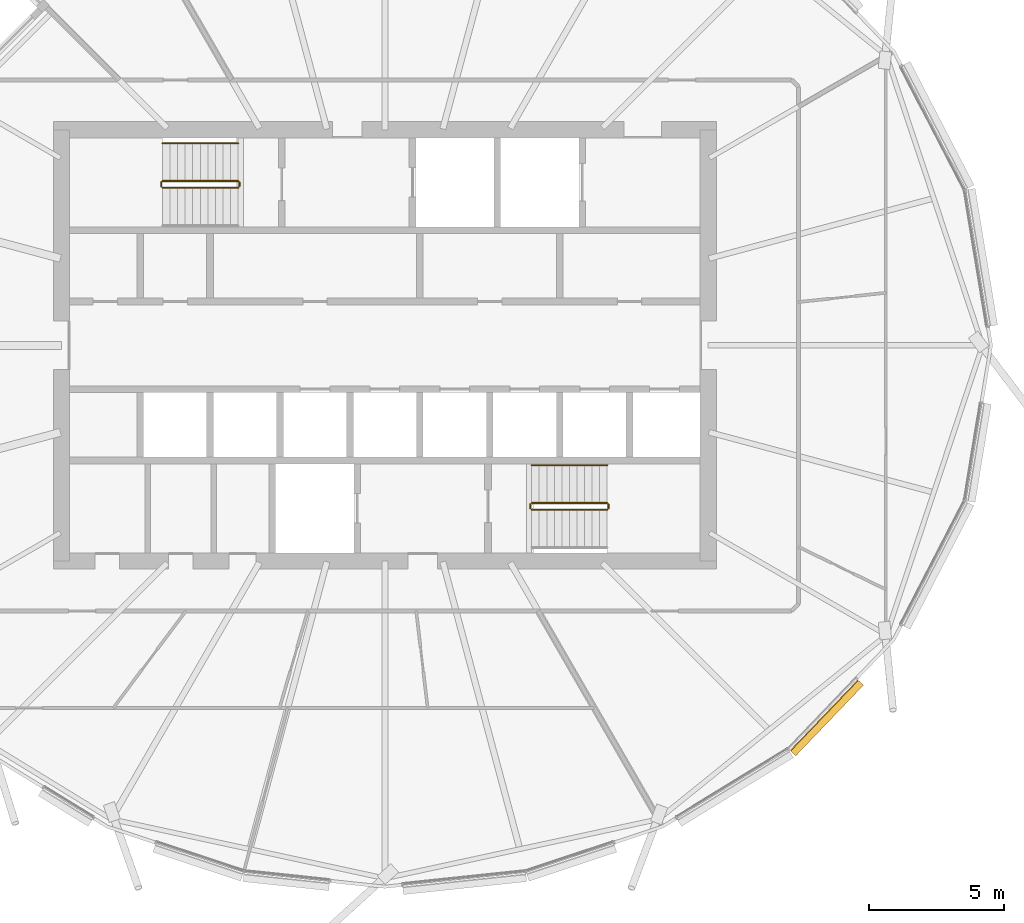
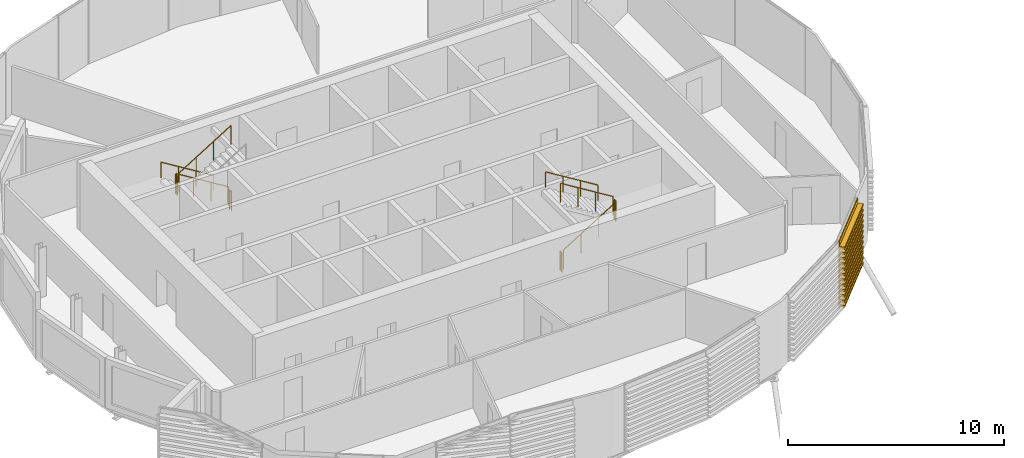
# One storey, part 33 of 37: 10 railings, 1 covering.
"""IFC4 building model written with IfcOpenShell, lengths in metres."""

import ifcopenshell
import ifcopenshell.guid

model = None  # the IFC model being written
_history = None  # IfcOwnerHistory: only IFC2X3 demands one
_inside = {}  # id of a spatial element -> (the spatial element, [elements in it])
_under = {}  # id of a project, library or spatial element -> (it, [spatial elements below it])
_declared = {}  # id of a project -> (the project, [libraries it declares])
_typed = {}  # id of a type object -> (the type object, [elements of that type])
_made_of = {}  # id of a material, layer set ... -> (it, [elements and type objects made of it])


def new_model(schema):
    """Start an empty IFC model of exactly this schema.

    Asked for "IFC4X3", IfcOpenShell would pick the latest addendum, in which some entities
    have other attributes; the version numbers below select the first issue.
    IFC2X3 requires an IfcOwnerHistory on every rooted entity: one is made here for all.
    """
    global model, _history
    if schema == "IFC4X3":
        model = ifcopenshell.file(schema_version=(4, 3, 0, 0))
    else:
        model = ifcopenshell.file(schema=schema)
    _inside.clear()
    _under.clear()
    _declared.clear()
    _typed.clear()
    _made_of.clear()
    _history = None
    if model.schema == "IFC2X3":
        org = make("IfcOrganization", Name="unknown")
        user = make(
            "IfcPersonAndOrganization",
            ThePerson=make("IfcPerson", FamilyName="unknown"),
            TheOrganization=org,
        )
        app = make(
            "IfcApplication",
            ApplicationDeveloper=org,
            Version="unknown",
            ApplicationFullName="unknown",
            ApplicationIdentifier="unknown",
        )
        _history = make(
            "IfcOwnerHistory",
            OwningUser=user,
            OwningApplication=app,
            ChangeAction="ADDED",
            CreationDate=0,
        )
    return model


def make(cls, **values):
    """One entity of the class cls with the attributes given. An attribute that is None is left unset."""
    return model.create_entity(
        cls, **{name: value for name, value in values.items() if value is not None}
    )


def rooted(cls, **values):
    """An entity with a GlobalId (a new one), such as an element, a storey or a relation."""
    return make(cls, GlobalId=ifcopenshell.guid.new(), OwnerHistory=_history, **values)


def si_unit(unit_type, name, prefix=None):
    """IfcSIUnit, for example si_unit("LENGTHUNIT", "METRE", prefix="MILLI")."""
    return make("IfcSIUnit", UnitType=unit_type, Prefix=prefix, Name=name)


def assignment(units):
    """IfcUnitAssignment: the units of a project."""
    return None if units is None else make("IfcUnitAssignment", Units=units)


def point(xyz):
    """IfcCartesianPoint."""
    return None if xyz is None else make("IfcCartesianPoint", Coordinates=xyz)


def direction(xyz):
    """IfcDirection."""
    return None if xyz is None else make("IfcDirection", DirectionRatios=xyz)


def frame(location, z_axis=None, x_axis=None):
    """IfcAxis2Placement3D, a coordinate frame: its origin and axes. An axis left out is left unset."""
    return make(
        "IfcAxis2Placement3D",
        Location=point(location),
        Axis=direction(z_axis),
        RefDirection=direction(x_axis),
    )


def frame_2d(location, x_axis=None):
    """IfcAxis2Placement2D, a coordinate frame in the plane: its origin and x axis."""
    return make(
        "IfcAxis2Placement2D", Location=point(location), RefDirection=direction(x_axis)
    )


def origin():
    """The frame at (0, 0, 0) with its axes left unset."""
    return frame((0.0, 0.0, 0.0))


def origin_2d():
    """The frame at (0, 0) in the plane with its x axis left unset."""
    return frame_2d((0.0, 0.0))


def place(relative_to, where):
    """IfcLocalPlacement: puts the frame where relative to a parent placement (None: the world)."""
    return make(
        "IfcLocalPlacement", PlacementRelTo=relative_to, RelativePlacement=where
    )


def context(
    kind, dimensions, precision=None, world=None, true_north=None, identifier=None
):
    """IfcGeometricRepresentationContext, for example the 3D "Model" context."""
    return make(
        "IfcGeometricRepresentationContext",
        ContextIdentifier=identifier,
        ContextType=kind,
        CoordinateSpaceDimension=dimensions,
        Precision=precision,
        WorldCoordinateSystem=world,
        TrueNorth=true_north,
    )


def subcontext(parent, identifier, kind, view, scale=None):
    """IfcGeometricRepresentationSubContext, for example "Body" below "Model"."""
    return make(
        "IfcGeometricRepresentationSubContext",
        ContextIdentifier=identifier,
        ContextType=kind,
        ParentContext=parent,
        TargetScale=scale,
        TargetView=view,
    )


def project(units=None, contexts=None):
    """IfcProject with its units and contexts."""
    return rooted(
        "IfcProject",
        Name="project",
        RepresentationContexts=contexts,
        UnitsInContext=assignment(units),
    )


def spatial(cls, under=None, at=None, **own):
    """A site, building, storey or space (cls), placed at a placement, below another one or the project."""
    s = rooted(cls, ObjectPlacement=at, **own)
    if under is not None:
        _under.setdefault(under.id(), (under, []))[1].append(s)
    return s


def polyline(points):
    """IfcPolyline through the points."""
    return make("IfcPolyline", Points=[point(p) for p in points])


def profile(cls, at=None, kind="AREA", **sizes):
    """A parametric profile (cls). Its sizes go by their IFC names, for example OverallWidth=200.0."""
    return make(cls, ProfileType=kind, Position=at, **sizes)


def circle(**sizes):
    """IfcCircleProfileDef."""
    return profile("IfcCircleProfileDef", **sizes)


def outline(outer, holes=None, kind="AREA"):
    """IfcArbitraryClosedProfileDef: a profile drawn as a closed curve; with holes, ...WithVoids."""
    if holes is None:
        return make("IfcArbitraryClosedProfileDef", ProfileType=kind, OuterCurve=outer)
    return make(
        "IfcArbitraryProfileDefWithVoids",
        ProfileType=kind,
        OuterCurve=outer,
        InnerCurves=holes,
    )


def extrude(swept, where, along, depth):
    """IfcExtrudedAreaSolid: the profile swept, set in the frame where, extruded along a direction by depth."""
    return make(
        "IfcExtrudedAreaSolid",
        SweptArea=swept,
        Position=where,
        ExtrudedDirection=direction(along),
        Depth=depth,
    )


def shape(context_of_items, identifier, shape_type, items):
    """IfcShapeRepresentation: the items that make up one representation, for example the "Body"."""
    return make(
        "IfcShapeRepresentation",
        ContextOfItems=context_of_items,
        RepresentationIdentifier=identifier,
        RepresentationType=shape_type,
        Items=items,
    )


def material(Name=None, Category=None):
    """IfcMaterial."""
    return make("IfcMaterial", Name=Name, Category=Category)


def material_profile(
    of_material, cross_section, Name=None, Category=None, Priority=None
):
    """IfcMaterialProfile: a cross section and its material."""
    return make(
        "IfcMaterialProfile",
        Name=Name,
        Material=of_material,
        Profile=cross_section,
        Priority=Priority,
        Category=Category,
    )


def profile_set(profiles, Name=None, composite=None):
    """IfcMaterialProfileSet."""
    return make(
        "IfcMaterialProfileSet",
        Name=Name,
        MaterialProfiles=profiles,
        CompositeProfile=composite,
    )


def made_of(thing, what):
    """Note that an element or type object is made of a material, layer set ...; save() writes the relation."""
    if what is not None:
        _made_of.setdefault(what.id(), (what, []))[1].append(thing)
    return thing


def type_object(cls, material=None, **own):
    """A type object (cls), such as IfcWallType, which elements share."""
    return made_of(rooted(cls, **own), material)


def element(
    cls,
    number,
    at=None,
    inside=None,
    cuts=None,
    type_object=None,
    material=None,
    context=None,
    identifier="Body",
    shape_type=None,
    held_by="IfcProductDefinitionShape",
    body=None,
    shapes=None,
    **own,
):
    """One element of the class cls, such as IfcWall. Its Tag is "e" and its number.

    at: its placement. inside: the storey or other place that contains it. cuts: it is an
    opening in that element (IfcRelVoidsElement). A single representation is given by context,
    identifier, shape_type and body (its items); several are given by shapes. held_by: the class
    of the entity that holds the representations. save() writes the other relations.
    """
    e = rooted(cls, Tag="e%d" % number, ObjectPlacement=at, **own)
    if body is not None:
        shapes = [shape(context, identifier, shape_type, body)]
    if shapes is not None:
        e.Representation = make(held_by, Representations=shapes)
    if inside is not None:
        _inside.setdefault(inside.id(), (inside, []))[1].append(e)
    if cuts is not None:
        rooted(
            "IfcRelVoidsElement", RelatingBuildingElement=cuts, RelatedOpeningElement=e
        )
    if type_object is not None:
        _typed.setdefault(type_object.id(), (type_object, []))[1].append(e)
    return made_of(e, material)


def aggregate(whole, parts):
    """IfcRelAggregates: a whole, such as a stair, and the parts it consists of."""
    return rooted("IfcRelAggregates", RelatingObject=whole, RelatedObjects=parts)


def save(model, path):
    """Write the relations noted so far, then the file.

    IfcRelAggregates (storeys below a building ...), IfcRelContainedInSpatialStructure (elements
    in a storey), IfcRelDefinesByType, IfcRelAssociatesMaterial and IfcRelDeclares: one each for
    every whole, place, type object, material and project.
    """
    for whole, parts in _under.values():
        aggregate(whole, parts)
    for where, things in _inside.values():
        rooted(
            "IfcRelContainedInSpatialStructure",
            RelatedElements=things,
            RelatingStructure=where,
        )
    for kind, things in _typed.values():
        rooted("IfcRelDefinesByType", RelatedObjects=things, RelatingType=kind)
    for what, things in _made_of.values():
        rooted("IfcRelAssociatesMaterial", RelatedObjects=things, RelatingMaterial=what)
    for by, libraries in _declared.values():
        rooted("IfcRelDeclares", RelatingContext=by, RelatedDefinitions=libraries)
    model.write(path)


model = new_model("IFC4")

# Units and contexts
model_context = context("Model", 3, precision=1e-05, world=origin(), true_north=direction((0.0, 1.0)))
body_context = subcontext(model_context, "Body", "Model", "MODEL_VIEW")
ifc_project = project(units=[si_unit("LENGTHUNIT", "METRE"), si_unit("AREAUNIT", "SQUARE_METRE"), si_unit("VOLUMEUNIT", "CUBIC_METRE"), si_unit("PLANEANGLEUNIT", "RADIAN"), si_unit("MASSUNIT", "GRAM", prefix="KILO")], contexts=[model_context])

# Site, building, storey
site_placement = place(None, origin())
site = spatial("IfcSite", under=ifc_project, at=site_placement, CompositionType="ELEMENT")
building_placement = place(site_placement, origin())
building = spatial("IfcBuilding", under=site, at=building_placement, Name="Rimbun Link Towers", CompositionType="ELEMENT")
storey_placement = place(building_placement, frame((0.0, 0.0, 166.5)))
storey = spatial("IfcBuildingStorey", under=building, at=storey_placement, Name="L40", CompositionType="ELEMENT", Elevation=166.5)

# Railings
ifc_material_1 = material(Name="Stainless steel grade 316", Category="steel")
railing_type_1 = type_object("IfcRailingType", Name="Stair guard", PredefinedType="GUARDRAIL", material=ifc_material_1)
railing_1_placement = place(storey_placement, frame((-37.199951171875, 6.10009765625, 0.172607421875)))
element("IfcRailing", 1, at=railing_1_placement, inside=storey, type_object=railing_type_1, Name="L40 ST1 stair guard 1", PredefinedType="GUARDRAIL", context=body_context, shape_type="SweptSolid", body=[
    extrude(circle(Radius=0.02392578125, at=origin_2d()), frame((0.0, 0.0, 1.076171875), z_axis=(-0.851089632645, 0.0, 0.525020415988), x_axis=(0.0, -1.0, 0.0)), (0.0, 0.0, 1.0), 3.2900390625),
    extrude(circle(Radius=0.02099609375, at=origin_2d()), origin(), (0.0, 0.0, 1.0), 1.052001953125),
    extrude(circle(Radius=0.02099609375, at=origin_2d()), frame((-0.933349609375, 0.0, 0.57568359375)), (0.0, 0.0, 1.0), 1.052001953125),
    extrude(circle(Radius=0.02099609375, at=origin_2d()), frame((-1.86669921875, 0.0, 1.151611328125)), (0.0, 0.0, 1.0), 1.052001953125),
    extrude(circle(Radius=0.02099609375, at=origin_2d()), frame((-2.800048828125, 0.0, 1.727294921875)), (0.0, 0.0, 1.0), 1.052001953125),
])
railing_2_placement = place(storey_placement, frame((-40.050048828125, 6.050048828125, 1.89990234375)))
element("IfcRailing", 2, at=railing_2_placement, inside=storey, type_object=railing_type_1, Name="L40 ST1 stair guard 2", PredefinedType="GUARDRAIL", context=body_context, shape_type="SweptSolid", body=[
    extrude(circle(Radius=0.02392578125, at=origin_2d()), frame((0.0, 0.0, 1.076171875), z_axis=(0.0, -1.0, 0.0), x_axis=(1.0, 0.0, 0.0)), (0.0, 0.0, 1.0), 0.150146484375),
    extrude(circle(Radius=0.02099609375, at=origin_2d()), origin(), (0.0, 0.0, 1.0), 1.052001953125),
    extrude(circle(Radius=0.02099609375, at=origin_2d()), frame((0.0, -0.150146484375, 0.0)), (0.0, 0.0, 1.0), 1.052001953125),
])
railing_3_placement = place(storey_placement, frame((-40.0, 5.85009765625, 2.07275390625)))
element("IfcRailing", 3, at=railing_3_placement, inside=storey, type_object=railing_type_1, Name="L40 ST1 stair guard 3", PredefinedType="GUARDRAIL", context=body_context, shape_type="SweptSolid", body=[
    extrude(circle(Radius=0.02392578125, at=origin_2d()), frame((0.0, 0.0, 1.076171875), z_axis=(0.851089632645, 0.0, 0.525020415988), x_axis=(0.0, 1.0, 0.0)), (0.0, 0.0, 1.0), 3.2900390625),
    extrude(circle(Radius=0.02099609375, at=origin_2d()), origin(), (0.0, 0.0, 1.0), 1.052001953125),
    extrude(circle(Radius=0.02099609375, at=origin_2d()), frame((0.933349609375, 0.0, 0.57568359375)), (0.0, 0.0, 1.0), 1.052001953125),
    extrude(circle(Radius=0.02099609375, at=origin_2d()), frame((1.86669921875, 0.0, 1.151611328125)), (0.0, 0.0, 1.0), 1.052001953125),
    extrude(circle(Radius=0.02099609375, at=origin_2d()), frame((2.800048828125, 0.0, 1.727294921875)), (0.0, 0.0, 1.0), 1.052001953125),
])
railing_4_placement = place(storey_placement, frame((-37.14990234375, 6.050048828125, 0.0)))
element("IfcRailing", 4, at=railing_4_placement, inside=storey, type_object=railing_type_1, Name="L40 ST1 stair guard 4", PredefinedType="GUARDRAIL", context=body_context, shape_type="SweptSolid", body=[
    extrude(circle(Radius=0.02392578125, at=origin_2d()), frame((0.0, 0.0, 1.076171875), z_axis=(0.0, -1.0, 0.0), x_axis=(1.0, 0.0, 0.0)), (0.0, 0.0, 1.0), 0.150146484375),
    extrude(circle(Radius=0.02099609375, at=origin_2d()), origin(), (0.0, 0.0, 1.0), 1.052001953125),
    extrude(circle(Radius=0.02099609375, at=origin_2d()), frame((0.0, -0.150146484375, 0.0)), (0.0, 0.0, 1.0), 1.052001953125),
])
railing_5_placement = place(storey_placement, frame((-26.300048828125, -6.10009765625, 0.172607421875)))
element("IfcRailing", 5, at=railing_5_placement, inside=storey, type_object=railing_type_1, Name="L40 ST2 stair guard 1", PredefinedType="GUARDRAIL", context=body_context, shape_type="SweptSolid", body=[
    extrude(circle(Radius=0.02392578125, at=origin_2d()), frame((0.0, 0.0, 1.076171875), z_axis=(0.851089632645, 0.0, 0.525020415988), x_axis=(0.0, 1.0, 0.0)), (0.0, 0.0, 1.0), 3.2900390625),
    extrude(circle(Radius=0.02099609375, at=origin_2d()), origin(), (0.0, 0.0, 1.0), 1.052001953125),
    extrude(circle(Radius=0.02099609375, at=origin_2d()), frame((0.933349609375, 0.0, 0.57568359375)), (0.0, 0.0, 1.0), 1.052001953125),
    extrude(circle(Radius=0.02099609375, at=origin_2d()), frame((1.86669921875, 0.0, 1.151611328125)), (0.0, 0.0, 1.0), 1.052001953125),
    extrude(circle(Radius=0.02099609375, at=origin_2d()), frame((2.800048828125, 0.0, 1.727294921875)), (0.0, 0.0, 1.0), 1.052001953125),
])
railing_6_placement = place(storey_placement, frame((-23.449951171875, -6.050048828125, 1.89990234375)))
element("IfcRailing", 6, at=railing_6_placement, inside=storey, type_object=railing_type_1, Name="L40 ST2 stair guard 2", PredefinedType="GUARDRAIL", context=body_context, shape_type="SweptSolid", body=[
    extrude(circle(Radius=0.02392578125, at=origin_2d()), frame((0.0, 0.0, 1.076171875), z_axis=(0.0, 1.0, 0.0), x_axis=(-1.0, 0.0, 0.0)), (0.0, 0.0, 1.0), 0.150146484375),
    extrude(circle(Radius=0.02099609375, at=origin_2d()), origin(), (0.0, 0.0, 1.0), 1.052001953125),
    extrude(circle(Radius=0.02099609375, at=origin_2d()), frame((0.0, 0.150146484375, 0.0)), (0.0, 0.0, 1.0), 1.052001953125),
])
railing_7_placement = place(storey_placement, frame((-23.5, -5.85009765625, 2.07275390625)))
element("IfcRailing", 7, at=railing_7_placement, inside=storey, type_object=railing_type_1, Name="L40 ST2 stair guard 3", PredefinedType="GUARDRAIL", context=body_context, shape_type="SweptSolid", body=[
    extrude(circle(Radius=0.02392578125, at=origin_2d()), frame((0.0, 0.0, 1.076171875), z_axis=(-0.851089632645, 0.0, 0.525020415988), x_axis=(0.0, -1.0, 0.0)), (0.0, 0.0, 1.0), 3.2900390625),
    extrude(circle(Radius=0.02099609375, at=origin_2d()), origin(), (0.0, 0.0, 1.0), 1.052001953125),
    extrude(circle(Radius=0.02099609375, at=origin_2d()), frame((-0.933349609375, 0.0, 0.57568359375)), (0.0, 0.0, 1.0), 1.052001953125),
    extrude(circle(Radius=0.02099609375, at=origin_2d()), frame((-1.86669921875, 0.0, 1.151611328125)), (0.0, 0.0, 1.0), 1.052001953125),
    extrude(circle(Radius=0.02099609375, at=origin_2d()), frame((-2.800048828125, 0.0, 1.727294921875)), (0.0, 0.0, 1.0), 1.052001953125),
])
railing_8_placement = place(storey_placement, frame((-26.35009765625, -6.050048828125, 0.0)))
element("IfcRailing", 8, at=railing_8_placement, inside=storey, type_object=railing_type_1, Name="L40 ST2 stair guard 4", PredefinedType="GUARDRAIL", context=body_context, shape_type="SweptSolid", body=[
    extrude(circle(Radius=0.02392578125, at=origin_2d()), frame((0.0, 0.0, 1.076171875), z_axis=(0.0, 1.0, 0.0), x_axis=(-1.0, 0.0, 0.0)), (0.0, 0.0, 1.0), 0.150146484375),
    extrude(circle(Radius=0.02099609375, at=origin_2d()), origin(), (0.0, 0.0, 1.0), 1.052001953125),
    extrude(circle(Radius=0.02099609375, at=origin_2d()), frame((0.0, 0.150146484375, 0.0)), (0.0, 0.0, 1.0), 1.052001953125),
])
ifc_material_2 = material(Name="Stainless steel grade 316", Category="steel")
railing_type_2 = type_object("IfcRailingType", Name="Stair handrail", PredefinedType="HANDRAIL", material=ifc_material_2)
for number, where, name in (
    (9, (-37.199951171875, 7.5, 0.172607421875), "L40 ST1 stair handrail 1"),
    (10, (-23.5, -4.449951171875, 2.07275390625), "L40 ST2 stair handrail 2"),
):
    element("IfcRailing", number, at=place(storey_placement, frame(where)), inside=storey, type_object=railing_type_2, Name=name, PredefinedType="HANDRAIL", context=body_context, shape_type="SweptSolid", body=[
        extrude(circle(Radius=0.02392578125, at=origin_2d()), frame((0.0, 0.0, 0.8759765625), z_axis=(-0.851089632645, 0.0, 0.525020415988), x_axis=(0.0, -1.0, 0.0)), (0.0, 0.0, 1.0), 3.2900390625),
        extrude(circle(Radius=0.02099609375, at=origin_2d()), origin(), (0.0, 0.0, 1.0), 0.851806640625),
        extrude(circle(Radius=0.02099609375, at=origin_2d()), frame((-0.933349609375, 0.0, 0.57568359375)), (0.0, 0.0, 1.0), 0.851806640625),
        extrude(circle(Radius=0.02099609375, at=origin_2d()), frame((-1.86669921875, 0.0, 1.151611328125)), (0.0, 0.0, 1.0), 0.851806640625),
        extrude(circle(Radius=0.02099609375, at=origin_2d()), frame((-2.800048828125, 0.0, 1.727294921875)), (0.0, 0.0, 1.0), 0.851806640625),
    ])

# Covering
ifc_material_3 = material(Name="Terracotta", Category="masonry")
ifc_material_profile = material_profile(ifc_material_3, outline(polyline([(0.123046875, 0.0), (0.1630859375, 0.0), (0.1630859375, 0.10009765625), (0.423095703125, 0.10009765625), (0.423095703125, 0.219970703125), (0.1630859375, 0.219970703125), (0.1630859375, 0.39990234375), (0.423095703125, 0.39990234375), (0.423095703125, 0.52001953125), (0.1630859375, 0.52001953125), (0.1630859375, 0.699951171875), (0.423095703125, 0.699951171875), (0.423095703125, 0.820068359375), (0.1630859375, 0.820068359375), (0.1630859375, 1.0), (0.423095703125, 1.0), (0.423095703125, 1.1201171875), (0.1630859375, 1.1201171875), (0.1630859375, 1.300048828125), (0.423095703125, 1.300048828125), (0.423095703125, 1.419921875), (0.1630859375, 1.419921875), (0.1630859375, 1.60009765625), (0.423095703125, 1.60009765625), (0.423095703125, 1.719970703125), (0.1630859375, 1.719970703125), (0.1630859375, 1.89990234375), (0.423095703125, 1.89990234375), (0.423095703125, 2.02001953125), (0.1630859375, 2.02001953125), (0.1630859375, 2.199951171875), (0.423095703125, 2.199951171875), (0.423095703125, 2.320068359375), (0.1630859375, 2.320068359375), (0.1630859375, 2.5), (0.423095703125, 2.5), (0.423095703125, 2.6201171875), (0.1630859375, 2.6201171875), (0.1630859375, 2.800048828125), (0.423095703125, 2.800048828125), (0.423095703125, 2.919921875), (0.1630859375, 2.919921875), (0.1630859375, 3.10009765625), (0.423095703125, 3.10009765625), (0.423095703125, 3.219970703125), (0.1630859375, 3.219970703125), (0.1630859375, 3.39990234375), (0.423095703125, 3.39990234375), (0.423095703125, 3.52001953125), (0.1630859375, 3.52001953125), (0.1630859375, 3.800048828125), (0.123046875, 3.800048828125), (0.123046875, 0.0)])), Name="BAGUETTE 120X300")
ifc_profile_set = profile_set([ifc_material_profile], Name="Terracotta")
covering_type = type_object("IfcCoveringType", Name="TERRACOTTA BAGUETTE 120X300 H3800", PredefinedType="CLADDING", material=ifc_profile_set)
covering_placement = place(storey_placement, frame((-14.2939453125, -12.321044921875, 0.0), z_axis=(-0.692060112177, -0.721839872225, 0.0), x_axis=(0.721839872225, -0.692060112177, 0.0)))
element("IfcCovering", 11, at=covering_placement, inside=storey, type_object=covering_type, Name="TERRACOTTA BAGUETTE", PredefinedType="CLADDING", context=body_context, shape_type="SweptSolid", body=[
    extrude(outline(polyline([(0.123046875, 0.0), (0.1630859375, 0.0), (0.1630859375, 0.10009765625), (0.423095703125, 0.10009765625), (0.423095703125, 0.219970703125), (0.1630859375, 0.219970703125), (0.1630859375, 0.39990234375), (0.423095703125, 0.39990234375), (0.423095703125, 0.52001953125), (0.1630859375, 0.52001953125), (0.1630859375, 0.699951171875), (0.423095703125, 0.699951171875), (0.423095703125, 0.820068359375), (0.1630859375, 0.820068359375), (0.1630859375, 1.0), (0.423095703125, 1.0), (0.423095703125, 1.1201171875), (0.1630859375, 1.1201171875), (0.1630859375, 1.300048828125), (0.423095703125, 1.300048828125), (0.423095703125, 1.419921875), (0.1630859375, 1.419921875), (0.1630859375, 1.60009765625), (0.423095703125, 1.60009765625), (0.423095703125, 1.719970703125), (0.1630859375, 1.719970703125), (0.1630859375, 1.89990234375), (0.423095703125, 1.89990234375), (0.423095703125, 2.02001953125), (0.1630859375, 2.02001953125), (0.1630859375, 2.199951171875), (0.423095703125, 2.199951171875), (0.423095703125, 2.320068359375), (0.1630859375, 2.320068359375), (0.1630859375, 2.5), (0.423095703125, 2.5), (0.423095703125, 2.6201171875), (0.1630859375, 2.6201171875), (0.1630859375, 2.800048828125), (0.423095703125, 2.800048828125), (0.423095703125, 2.919921875), (0.1630859375, 2.919921875), (0.1630859375, 3.10009765625), (0.423095703125, 3.10009765625), (0.423095703125, 3.219970703125), (0.1630859375, 3.219970703125), (0.1630859375, 3.39990234375), (0.423095703125, 3.39990234375), (0.423095703125, 3.52001953125), (0.1630859375, 3.52001953125), (0.1630859375, 3.800048828125), (0.123046875, 3.800048828125), (0.123046875, 0.0)])), origin(), (0.0, 0.0, 1.0), 3.6318359375),
])

save(model, "model.ifc")
